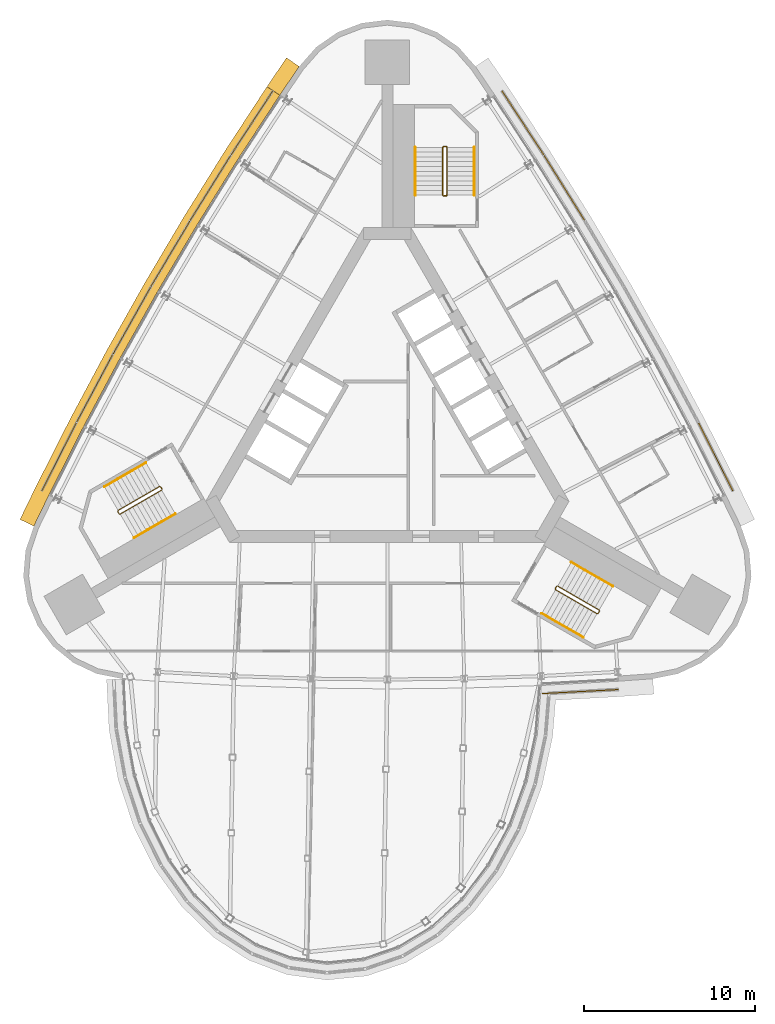
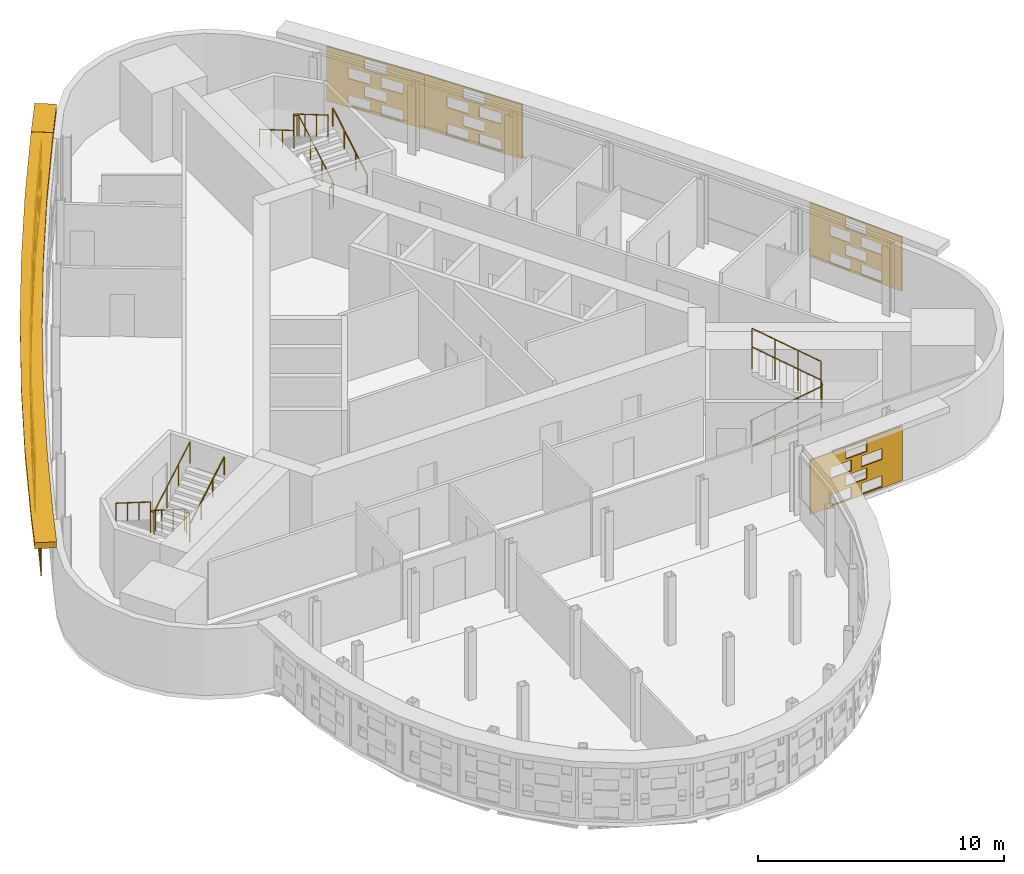
# One storey, part 13 of 14: 12 shading devices, 9 railings.
"""IFC4 building model written with IfcOpenShell, lengths in metres."""

from ifc_helpers import new_model, si_unit, direction, frame, origin, origin_2d, place, context, subcontext, project, spatial, polyline, circle, outline, extrude, material, material_profile, profile_set, type_object, element, save


model = new_model("IFC4")

# Units and contexts
model_context = context("Model", 3, precision=1e-05, world=origin(), true_north=direction((0.0, 1.0)))
body_context = subcontext(model_context, "Body", "Model", "MODEL_VIEW")
ifc_project = project(units=[si_unit("LENGTHUNIT", "METRE"), si_unit("AREAUNIT", "SQUARE_METRE"), si_unit("VOLUMEUNIT", "CUBIC_METRE"), si_unit("PLANEANGLEUNIT", "RADIAN"), si_unit("MASSUNIT", "GRAM", prefix="KILO")], contexts=[model_context])

# Site, building, storey
site_placement = place(None, origin())
site = spatial("IfcSite", under=ifc_project, at=site_placement, CompositionType="ELEMENT")
building_placement = place(site_placement, origin())
building = spatial("IfcBuilding", under=site, at=building_placement, Name="Noor Cloister Tower", CompositionType="ELEMENT")
storey_placement = place(building_placement, frame((0.0, 0.0, 222.0)))
storey = spatial("IfcBuildingStorey", under=building, at=storey_placement, Name="L57", CompositionType="ELEMENT", Elevation=222.0)

# Shading devices
ifc_material_1 = material(Name="Limestone", Category="masonry")
ifc_material_profile = material_profile(ifc_material_1, outline(polyline([(-2.22998046875, -1.35009765625), (2.22998046875, -1.35009765625), (2.22998046875, 1.35009765625), (-2.22998046875, 1.35009765625), (-2.22998046875, -1.35009765625)]), holes=[polyline([(-1.25, -1.282470703125), (-0.25, -1.282470703125), (-0.25, -0.742431640625), (-1.25, -0.742431640625), (-1.25, -1.282470703125)]), polyline([(0.25, -1.282470703125), (1.25, -1.282470703125), (1.25, -0.742431640625), (0.25, -0.742431640625), (0.25, -1.282470703125)]), polyline([(-0.5, -0.607421875), (0.5, -0.607421875), (0.5, -0.0673828125), (-0.5, -0.0673828125), (-0.5, -0.607421875)]), polyline([(-1.25, 0.0673828125), (-0.25, 0.0673828125), (-0.25, 0.607421875), (-1.25, 0.607421875), (-1.25, 0.0673828125)]), polyline([(0.25, 0.0673828125), (1.25, 0.0673828125), (1.25, 0.607421875), (0.25, 0.607421875), (0.25, 0.0673828125)]), polyline([(-0.5, 0.742431640625), (0.5, 0.742431640625), (0.5, 1.282470703125), (-0.5, 1.282470703125), (-0.5, 0.742431640625)])]), Name="Woven screen 35 percent open")
ifc_profile_set = profile_set([ifc_material_profile], Name="Limestone")
shading_device_type_1 = type_object("IfcShadingDeviceType", Name="SCREEN woven limestone 35 percent open", PredefinedType="USERDEFINED", material=ifc_profile_set)
shading_device_1_placement = place(storey_placement, frame((-7.889892578125, 17.56689453125, 1.85009765625), z_axis=(-0.837041537521, 0.547139346477, 0.0), x_axis=(-0.547139346477, -0.837041537521, 0.0)))
element("IfcShadingDevice", 1, at=shading_device_1_placement, inside=storey, type_object=shading_device_type_1, Name="SCREEN L57 1", ObjectType="SCREEN", PredefinedType="USERDEFINED", context=body_context, shape_type="SweptSolid", body=[
    extrude(outline(polyline([(-2.22998046875, -1.35009765625), (2.22998046875, -1.35009765625), (2.22998046875, 1.35009765625), (-2.22998046875, 1.35009765625), (-2.22998046875, -1.35009765625)]), holes=[polyline([(-1.25, -1.282470703125), (-0.25, -1.282470703125), (-0.25, -0.742431640625), (-1.25, -0.742431640625), (-1.25, -1.282470703125)]), polyline([(0.25, -1.282470703125), (1.25, -1.282470703125), (1.25, -0.742431640625), (0.25, -0.742431640625), (0.25, -1.282470703125)]), polyline([(-0.5, -0.607421875), (0.5, -0.607421875), (0.5, -0.0673828125), (-0.5, -0.0673828125), (-0.5, -0.607421875)]), polyline([(-1.25, 0.0673828125), (-0.25, 0.0673828125), (-0.25, 0.607421875), (-1.25, 0.607421875), (-1.25, 0.0673828125)]), polyline([(0.25, 0.0673828125), (1.25, 0.0673828125), (1.25, 0.607421875), (0.25, 0.607421875), (0.25, 0.0673828125)]), polyline([(-0.5, 0.742431640625), (0.5, 0.742431640625), (0.5, 1.282470703125), (-0.5, 1.282470703125), (-0.5, 0.742431640625)])]), origin(), (0.0, 0.0, 1.0), 0.059814453125),
])
for number, where, z_axis, x_axis, name in (
    (2, (-10.315185546875, 13.76513671875, 1.85009765625), (-0.849137590634, 0.528171707093, 0.0), (-0.528171707093, -0.849137590634, 0.0), "SCREEN L57 2"),
    (3, (-12.656005859375, 9.910400390625, 1.85009765625), (-0.858568146325, 0.512699461786, 0.0), (-0.512699461786, -0.858568146325, 0.0), "SCREEN L57 3"),
):
    element("IfcShadingDevice", number, at=place(storey_placement, frame(where, z_axis=z_axis, x_axis=x_axis)), inside=storey, type_object=shading_device_type_1, Name=name, ObjectType="SCREEN", PredefinedType="USERDEFINED", context=body_context, shape_type="SweptSolid", body=[
        extrude(outline(polyline([(-2.22998046875, -1.35009765625), (2.22998046875, -1.35009765625), (2.22998046875, 1.35009765625), (-2.22998046875, 1.35009765625), (-2.22998046875, -1.35009765625)]), holes=[polyline([(-1.25, -1.282470703125), (-0.25, -1.282470703125), (-0.25, -0.742431640625), (-1.25, -0.742431640625), (-1.25, -1.282470703125)]), polyline([(0.25, -1.282470703125), (1.25, -1.282470703125), (1.25, -0.742431640625), (0.25, -0.742431640625), (0.25, -1.282470703125)]), polyline([(-0.5, -0.607421875), (0.5, -0.607421875), (0.5, -0.0673828125), (-0.5, -0.0673828125), (-0.5, -0.607421875)]), polyline([(-1.25, 0.0673828125), (-0.25, 0.0673828125), (-0.25, 0.607421875), (-1.25, 0.607421875), (-1.25, 0.0673828125)]), polyline([(0.25, 0.0673828125), (1.25, 0.0673828125), (1.25, 0.607421875), (0.25, 0.607421875), (0.25, 0.0673828125)]), polyline([(-0.5, 0.742431640625), (0.5, 0.742431640625), (0.5, 1.282470703125), (-0.5, 1.282470703125), (-0.5, 0.742431640625)])]), origin(), (0.0, 0.0, 1.0), 0.06005859375),
    ])
for number, where, z_axis, x_axis, name in (
    (4, (-14.91064453125, 6.005126953125, 1.85009765625), (-0.872227864306, 0.489099736994, 0.0), (-0.489099736994, -0.872227864306, 0.0), "SCREEN L57 4"),
    (5, (-17.07861328125, 2.05078125, 1.85009765625), (-0.882692078165, 0.469951800875, 0.0), (-0.469951800875, -0.882692078165, 0.0), "SCREEN L57 5"),
):
    element("IfcShadingDevice", number, at=place(storey_placement, frame(where, z_axis=z_axis, x_axis=x_axis)), inside=storey, type_object=shading_device_type_1, Name=name, ObjectType="SCREEN", PredefinedType="USERDEFINED", context=body_context, shape_type="SweptSolid", body=[
        extrude(outline(polyline([(-2.22998046875, -1.35009765625), (2.22998046875, -1.35009765625), (2.22998046875, 1.35009765625), (-2.22998046875, 1.35009765625), (-2.22998046875, -1.35009765625)]), holes=[polyline([(-1.25, -1.282470703125), (-0.25, -1.282470703125), (-0.25, -0.742431640625), (-1.25, -0.742431640625), (-1.25, -1.282470703125)]), polyline([(0.25, -1.282470703125), (1.25, -1.282470703125), (1.25, -0.742431640625), (0.25, -0.742431640625), (0.25, -1.282470703125)]), polyline([(-0.5, -0.607421875), (0.5, -0.607421875), (0.5, -0.0673828125), (-0.5, -0.0673828125), (-0.5, -0.607421875)]), polyline([(-1.25, 0.0673828125), (-0.25, 0.0673828125), (-0.25, 0.607421875), (-1.25, 0.607421875), (-1.25, 0.0673828125)]), polyline([(0.25, 0.0673828125), (1.25, 0.0673828125), (1.25, 0.607421875), (0.25, 0.607421875), (0.25, 0.0673828125)]), polyline([(-0.5, 0.742431640625), (0.5, 0.742431640625), (0.5, 1.282470703125), (-0.5, 1.282470703125), (-0.5, 0.742431640625)])]), origin(), (0.0, 0.0, 1.0), 0.059814453125),
    ])
shading_device_2_placement = place(storey_placement, frame((-19.158203125, -1.95068359375, 1.85009765625), z_axis=(-0.89279802979, 0.450457187758, 0.0), x_axis=(-0.450457187758, -0.89279802979, 0.0)))
element("IfcShadingDevice", 6, at=shading_device_2_placement, inside=storey, type_object=shading_device_type_1, Name="SCREEN L57 6", ObjectType="SCREEN", PredefinedType="USERDEFINED", context=body_context, shape_type="SweptSolid", body=[
    extrude(outline(polyline([(-2.22998046875, -1.35009765625), (2.22998046875, -1.35009765625), (2.22998046875, 1.35009765625), (-2.22998046875, 1.35009765625), (-2.22998046875, -1.35009765625)]), holes=[polyline([(-1.25, -1.282470703125), (-0.25, -1.282470703125), (-0.25, -0.742431640625), (-1.25, -0.742431640625), (-1.25, -1.282470703125)]), polyline([(0.25, -1.282470703125), (1.25, -1.282470703125), (1.25, -0.742431640625), (0.25, -0.742431640625), (0.25, -1.282470703125)]), polyline([(-0.5, -0.607421875), (0.5, -0.607421875), (0.5, -0.0673828125), (-0.5, -0.0673828125), (-0.5, -0.607421875)]), polyline([(-1.25, 0.0673828125), (-0.25, 0.0673828125), (-0.25, 0.607421875), (-1.25, 0.607421875), (-1.25, 0.0673828125)]), polyline([(0.25, 0.0673828125), (1.25, 0.0673828125), (1.25, 0.607421875), (0.25, 0.607421875), (0.25, 0.0673828125)]), polyline([(-0.5, 0.742431640625), (0.5, 0.742431640625), (0.5, 1.282470703125), (-0.5, 1.282470703125), (-0.5, 0.742431640625)])]), origin(), (0.0, 0.0, 1.0), 0.06005859375),
])
shading_device_3_placement = place(storey_placement, frame((11.2685546875, -15.6162109375, 1.85009765625), z_axis=(0.052986685084, -0.998595218897, 0.0), x_axis=(0.998595218897, 0.052986685084, 0.0)))
element("IfcShadingDevice", 7, at=shading_device_3_placement, inside=storey, type_object=shading_device_type_1, Name="SCREEN L57 19", ObjectType="SCREEN", PredefinedType="USERDEFINED", context=body_context, shape_type="SweptSolid", body=[
    extrude(outline(polyline([(-2.22998046875, -1.35009765625), (2.22998046875, -1.35009765625), (2.22998046875, 1.35009765625), (-2.22998046875, 1.35009765625), (-2.22998046875, -1.35009765625)]), holes=[polyline([(-1.25, -1.282470703125), (-0.25, -1.282470703125), (-0.25, -0.742431640625), (-1.25, -0.742431640625), (-1.25, -1.282470703125)]), polyline([(0.25, -1.282470703125), (1.25, -1.282470703125), (1.25, -0.742431640625), (0.25, -0.742431640625), (0.25, -1.282470703125)]), polyline([(-0.5, -0.607421875), (0.5, -0.607421875), (0.5, -0.0673828125), (-0.5, -0.0673828125), (-0.5, -0.607421875)]), polyline([(-1.25, 0.0673828125), (-0.25, 0.0673828125), (-0.25, 0.607421875), (-1.25, 0.607421875), (-1.25, 0.0673828125)]), polyline([(0.25, 0.0673828125), (1.25, 0.0673828125), (1.25, 0.607421875), (0.25, 0.607421875), (0.25, 0.0673828125)]), polyline([(-0.5, 0.742431640625), (0.5, 0.742431640625), (0.5, 1.282470703125), (-0.5, 1.282470703125), (-0.5, 0.742431640625)])]), origin(), (0.0, 0.0, 1.0), 0.059814453125),
])
for number, where, z_axis, x_axis, name in (
    (8, (19.158203125, -1.95068359375, 1.85009765625), (0.89279802979, 0.450457187758, 0.0), (-0.450457187758, 0.89279802979, 0.0), "SCREEN L57 1"),
    (9, (10.315185546875, 13.76513671875, 1.85009765625), (0.849137590634, 0.528171707093, 0.0), (-0.528171707093, 0.849137590634, 0.0), "SCREEN L57 5"),
):
    element("IfcShadingDevice", number, at=place(storey_placement, frame(where, z_axis=z_axis, x_axis=x_axis)), inside=storey, type_object=shading_device_type_1, Name=name, ObjectType="SCREEN", PredefinedType="USERDEFINED", context=body_context, shape_type="SweptSolid", body=[
        extrude(outline(polyline([(-2.22998046875, -1.35009765625), (2.22998046875, -1.35009765625), (2.22998046875, 1.35009765625), (-2.22998046875, 1.35009765625), (-2.22998046875, -1.35009765625)]), holes=[polyline([(-1.25, -1.282470703125), (-0.25, -1.282470703125), (-0.25, -0.742431640625), (-1.25, -0.742431640625), (-1.25, -1.282470703125)]), polyline([(0.25, -1.282470703125), (1.25, -1.282470703125), (1.25, -0.742431640625), (0.25, -0.742431640625), (0.25, -1.282470703125)]), polyline([(-0.5, -0.607421875), (0.5, -0.607421875), (0.5, -0.0673828125), (-0.5, -0.0673828125), (-0.5, -0.607421875)]), polyline([(-1.25, 0.0673828125), (-0.25, 0.0673828125), (-0.25, 0.607421875), (-1.25, 0.607421875), (-1.25, 0.0673828125)]), polyline([(0.25, 0.0673828125), (1.25, 0.0673828125), (1.25, 0.607421875), (0.25, 0.607421875), (0.25, 0.0673828125)]), polyline([(-0.5, 0.742431640625), (0.5, 0.742431640625), (0.5, 1.282470703125), (-0.5, 1.282470703125), (-0.5, 0.742431640625)])]), origin(), (0.0, 0.0, 1.0), 0.06005859375),
    ])
shading_device_4_placement = place(storey_placement, frame((7.889892578125, 17.56689453125, 1.85009765625), z_axis=(0.837041537521, 0.547139346477, 0.0), x_axis=(-0.547139346477, 0.837041537521, 0.0)))
element("IfcShadingDevice", 10, at=shading_device_4_placement, inside=storey, type_object=shading_device_type_1, Name="SCREEN L57 6", ObjectType="SCREEN", PredefinedType="USERDEFINED", context=body_context, shape_type="SweptSolid", body=[
    extrude(outline(polyline([(-2.22998046875, -1.35009765625), (2.22998046875, -1.35009765625), (2.22998046875, 1.35009765625), (-2.22998046875, 1.35009765625), (-2.22998046875, -1.35009765625)]), holes=[polyline([(-1.25, -1.282470703125), (-0.25, -1.282470703125), (-0.25, -0.742431640625), (-1.25, -0.742431640625), (-1.25, -1.282470703125)]), polyline([(0.25, -1.282470703125), (1.25, -1.282470703125), (1.25, -0.742431640625), (0.25, -0.742431640625), (0.25, -1.282470703125)]), polyline([(-0.5, -0.607421875), (0.5, -0.607421875), (0.5, -0.0673828125), (-0.5, -0.0673828125), (-0.5, -0.607421875)]), polyline([(-1.25, 0.0673828125), (-0.25, 0.0673828125), (-0.25, 0.607421875), (-1.25, 0.607421875), (-1.25, 0.0673828125)]), polyline([(0.25, 0.0673828125), (1.25, 0.0673828125), (1.25, 0.607421875), (0.25, 0.607421875), (0.25, 0.0673828125)]), polyline([(-0.5, 0.742431640625), (0.5, 0.742431640625), (0.5, 1.282470703125), (-0.5, 1.282470703125), (-0.5, 0.742431640625)])]), origin(), (0.0, 0.0, 1.0), 0.059814453125),
])
ifc_material_2 = material(Name="Limestone", Category="masonry")
shading_device_type_2 = type_object("IfcShadingDeviceType", Name="SUNSHADE limestone band 900", PredefinedType="USERDEFINED", material=ifc_material_2)
shading_device_5_placement = place(storey_placement, frame((0.0, 0.0, 3.300048828125)))
element("IfcShadingDevice", 11, at=shading_device_5_placement, inside=storey, type_object=shading_device_type_2, Name="SUNSHADE L57 1", ObjectType="SUNSHADE", PredefinedType="USERDEFINED", context=body_context, shape_type="SweptSolid", body=[
    extrude(outline(polyline([(-7.035400390625, 19.6962890625), (-9.5029296875, 15.92138671875), (-11.8916015625, 12.084228515625), (-14.194580078125, 8.1953125), (-16.4111328125, 4.256103515625), (-18.539794921875, 0.26904296875), (-20.57861328125, -3.76171875), (-21.46533203125, -5.587158203125), (-20.65576171875, -5.98046875), (-19.772216796875, -4.16162109375), (-17.7412109375, -0.14599609375), (-15.621826171875, 3.823486328125), (-13.415283203125, 7.745361328125), (-11.122314453125, 11.6171875), (-8.744140625, 15.437255859375), (-6.2822265625, 19.2041015625), (-7.035400390625, 19.6962890625)])), origin(), (0.0, 0.0, 1.0), 0.300048828125),
])
shading_device_6_placement = place(storey_placement, frame((0.0, 0.0, 3.300048828125)))
element("IfcShadingDevice", 12, at=shading_device_6_placement, inside=storey, type_object=shading_device_type_2, Name="SUNSHADE L57 4", ObjectType="SUNSHADE", PredefinedType="USERDEFINED", context=body_context, shape_type="SweptSolid", body=[
    extrude(outline(polyline([(-5.89404296875, 21.38330078125), (-7.02734375, 19.70849609375), (-6.2822265625, 19.2041015625), (-5.148681640625, 20.87890625), (-5.89404296875, 21.38330078125)])), origin(), (0.0, 0.0, 1.0), 0.300048828125),
])

# Railings
ifc_material_3 = material(Name="Stainless steel", Category="steel")
railing_type_1 = type_object("IfcRailingType", Name="Stair guard 1100", PredefinedType="GUARDRAIL", material=ifc_material_3)
railing_1_placement = place(storey_placement, frame((3.435546875, 13.306396484375, 0.0)))
element("IfcRailing", 13, at=railing_1_placement, inside=storey, type_object=railing_type_1, Name="Stair guard ST1 L57", PredefinedType="GUARDRAIL", context=body_context, shape_type="SweptSolid", body=[
    extrude(circle(Radius=0.02392578125, at=origin_2d()), frame((0.0, 0.0, 1.076171875), z_axis=(-1.0, 0.0, 0.0), x_axis=(0.0, -1.0, 0.0)), (0.0, 0.0, 1.0), 0.14990234375),
    extrude(circle(Radius=0.02392578125, at=origin_2d()), frame((-0.14990234375, 0.0, 1.076171875), z_axis=(0.759870394187, 0.190199549216, 0.621627795), x_axis=(-0.242814311512, 0.970072785993, 0.0)), (0.0, 0.0, 1.0), 0.26318359375),
    extrude(circle(Radius=0.02392578125, at=origin_2d()), frame((0.050048828125, 0.050048828125, 1.23974609375), z_axis=(0.0, 0.863360870873, 0.504586966384), x_axis=(-1.0, 0.0, 0.0)), (0.0, 0.0, 1.0), 3.2431640625),
    extrude(circle(Radius=0.02392578125, at=origin_2d()), frame((0.050048828125, 2.85009765625, 2.8759765625), z_axis=(-0.708833529934, 0.705375805398, 0.0), x_axis=(-0.705375805398, -0.708833529934, 0.0)), (0.0, 0.0, 1.0), 0.070556640625),
    extrude(circle(Radius=0.02392578125, at=origin_2d()), frame((0.0, 2.89990234375, 2.8759765625), z_axis=(-1.0, 0.0, 0.0), x_axis=(0.0, -1.0, 0.0)), (0.0, 0.0, 1.0), 0.14990234375),
    extrude(circle(Radius=0.02392578125, at=origin_2d()), frame((-0.14990234375, 2.89990234375, 2.8759765625), z_axis=(-0.280916556609, -0.279546231943, 0.91811752648), x_axis=(0.705375805398, -0.708833529934, 0.0)), (0.0, 0.0, 1.0), 0.17822265625),
    extrude(circle(Radius=0.02392578125, at=origin_2d()), frame((-0.199951171875, 2.85009765625, 3.03955078125), z_axis=(0.0, -0.863360870873, 0.504586966384), x_axis=(1.0, 0.0, 0.0)), (0.0, 0.0, 1.0), 3.2431640625),
    extrude(circle(Radius=0.02099609375, at=origin_2d()), origin(), (0.0, 0.0, 1.0), 1.052001953125),
    extrude(circle(Radius=0.02099609375, at=origin_2d()), frame((-0.14990234375, 0.0, 0.0)), (0.0, 0.0, 1.0), 1.052001953125),
    extrude(circle(Radius=0.02099609375, at=origin_2d()), frame((0.050048828125, 0.050048828125, 0.16357421875)), (0.0, 0.0, 1.0), 1.052001953125),
    extrude(circle(Radius=0.02099609375, at=origin_2d()), frame((0.050048828125, 0.9833984375, 0.708984375)), (0.0, 0.0, 1.0), 1.052001953125),
    extrude(circle(Radius=0.02099609375, at=origin_2d()), frame((0.050048828125, 1.916748046875, 1.254638671875)), (0.0, 0.0, 1.0), 1.052001953125),
    extrude(circle(Radius=0.02099609375, at=origin_2d()), frame((0.050048828125, 2.85009765625, 1.800048828125)), (0.0, 0.0, 1.0), 1.052001953125),
    extrude(circle(Radius=0.02099609375, at=origin_2d()), frame((0.0, 2.89990234375, 1.800048828125)), (0.0, 0.0, 1.0), 1.052001953125),
    extrude(circle(Radius=0.02099609375, at=origin_2d()), frame((-0.14990234375, 2.89990234375, 1.800048828125)), (0.0, 0.0, 1.0), 1.052001953125),
    extrude(circle(Radius=0.02099609375, at=origin_2d()), frame((-0.199951171875, 2.85009765625, 1.963623046875)), (0.0, 0.0, 1.0), 1.052001953125),
    extrude(circle(Radius=0.02099609375, at=origin_2d()), frame((-0.199951171875, 1.916748046875, 2.509033203125)), (0.0, 0.0, 1.0), 1.052001953125),
    extrude(circle(Radius=0.02099609375, at=origin_2d()), frame((-0.199951171875, 0.9833984375, 3.0546875)), (0.0, 0.0, 1.0), 1.052001953125),
    extrude(circle(Radius=0.02099609375, at=origin_2d()), frame((-0.199951171875, 0.050048828125, 3.60009765625)), (0.0, 0.0, 1.0), 1.052001953125),
])
railing_2_placement = place(storey_placement, frame((-13.241455078125, -3.677734375, 0.0)))
element("IfcRailing", 14, at=railing_2_placement, inside=storey, type_object=railing_type_1, Name="Stair guard ST2 L57", PredefinedType="GUARDRAIL", context=body_context, shape_type="SweptSolid", body=[
    extrude(circle(Radius=0.02392578125, at=origin_2d()), frame((0.0, 0.0, 1.076171875), z_axis=(0.499112439033, -0.866537231285, 0.0), x_axis=(0.866537231285, 0.499112439033, 0.0)), (0.0, 0.0, 1.0), 0.150146484375),
    extrude(circle(Radius=0.02392578125, at=origin_2d()), frame((0.074951171875, -0.130126953125, 1.076171875), z_axis=(-0.544565797804, 0.563119998752, 0.621565731736), x_axis=(-0.718850276695, -0.695164929852, 0.0)), (0.0, 0.0, 1.0), 0.26318359375),
    extrude(circle(Radius=0.02392578125, at=origin_2d()), frame((-0.068359375, 0.01806640625, 1.23974609375), z_axis=(-0.747689811644, -0.431660630283, 0.504607813879), x_axis=(0.49998411664, -0.866034573852, 0.0)), (0.0, 0.0, 1.0), 3.2431640625),
    extrude(circle(Radius=0.02392578125, at=origin_2d()), frame((-2.4931640625, -1.3818359375, 2.8759765625), z_axis=(-0.258736085224, -0.965948051503, 0.0), x_axis=(0.965948051503, -0.258736085224, 0.0)), (0.0, 0.0, 1.0), 0.07080078125),
    extrude(circle(Radius=0.02392578125, at=origin_2d()), frame((-2.511474609375, -1.4501953125, 2.8759765625), z_axis=(0.499816412211, -0.866131372301, 0.0), x_axis=(0.866131372301, 0.499816412211, 0.0)), (0.0, 0.0, 1.0), 0.14990234375),
    extrude(circle(Radius=0.02392578125, at=origin_2d()), frame((-2.4365234375, -1.580078125, 2.8759765625), z_axis=(0.383552647116, -0.102737316192, 0.917786691313), x_axis=(0.258736085224, 0.965948051503, 0.0)), (0.0, 0.0, 1.0), 0.17822265625),
    extrude(circle(Radius=0.02392578125, at=origin_2d()), frame((-2.3681640625, -1.598388671875, 3.03955078125), z_axis=(0.747665513933, 0.431721881032, 0.504591415616), x_axis=(-0.500049511043, 0.865996816683, 0.0)), (0.0, 0.0, 1.0), 3.2431640625),
    extrude(circle(Radius=0.02099609375, at=origin_2d()), origin(), (0.0, 0.0, 1.0), 1.052001953125),
    extrude(circle(Radius=0.02099609375, at=origin_2d()), frame((0.074951171875, -0.130126953125, 0.0)), (0.0, 0.0, 1.0), 1.052001953125),
    extrude(circle(Radius=0.02099609375, at=origin_2d()), frame((-0.068359375, 0.01806640625, 0.16357421875)), (0.0, 0.0, 1.0), 1.052001953125),
    extrude(circle(Radius=0.02099609375, at=origin_2d()), frame((-0.876708984375, -0.448486328125, 0.708984375)), (0.0, 0.0, 1.0), 1.052001953125),
    extrude(circle(Radius=0.02099609375, at=origin_2d()), frame((-1.684814453125, -0.915283203125, 1.254638671875)), (0.0, 0.0, 1.0), 1.052001953125),
    extrude(circle(Radius=0.02099609375, at=origin_2d()), frame((-2.4931640625, -1.3818359375, 1.800048828125)), (0.0, 0.0, 1.0), 1.052001953125),
    extrude(circle(Radius=0.02099609375, at=origin_2d()), frame((-2.511474609375, -1.4501953125, 1.800048828125)), (0.0, 0.0, 1.0), 1.052001953125),
    extrude(circle(Radius=0.02099609375, at=origin_2d()), frame((-2.4365234375, -1.580078125, 1.800048828125)), (0.0, 0.0, 1.0), 1.052001953125),
    extrude(circle(Radius=0.02099609375, at=origin_2d()), frame((-2.3681640625, -1.598388671875, 1.963623046875)), (0.0, 0.0, 1.0), 1.052001953125),
    extrude(circle(Radius=0.02099609375, at=origin_2d()), frame((-1.559814453125, -1.131591796875, 2.509033203125)), (0.0, 0.0, 1.0), 1.052001953125),
    extrude(circle(Radius=0.02099609375, at=origin_2d()), frame((-0.751708984375, -0.6650390625, 3.0546875)), (0.0, 0.0, 1.0), 1.052001953125),
    extrude(circle(Radius=0.02099609375, at=origin_2d()), frame((0.056640625, -0.1982421875, 3.60009765625)), (0.0, 0.0, 1.0), 1.052001953125),
])
railing_3_placement = place(storey_placement, frame((9.805908203125, -9.628662109375, 0.0)))
element("IfcRailing", 15, at=railing_3_placement, inside=storey, type_object=railing_type_1, Name="Stair guard ST3 L57", PredefinedType="GUARDRAIL", context=body_context, shape_type="SweptSolid", body=[
    extrude(circle(Radius=0.02392578125, at=origin_2d()), frame((0.0, 0.0, 1.076171875), z_axis=(0.499112439033, 0.866537231285, 0.0), x_axis=(-0.866537231285, 0.499112439033, 0.0)), (0.0, 0.0, 1.0), 0.150146484375),
    extrude(circle(Radius=0.02392578125, at=origin_2d()), frame((0.074951171875, 0.130126953125, 1.076171875), z_axis=(-0.215214839654, -0.753251938789, 0.621525614518), x_axis=(0.961523947641, -0.274721127897, 0.0)), (0.0, 0.0, 1.0), 0.26318359375),
    extrude(circle(Radius=0.02392578125, at=origin_2d()), frame((0.018310546875, -0.068115234375, 1.23974609375), z_axis=(0.747665513933, -0.431721881032, 0.504591415616), x_axis=(0.500049511043, 0.865996816683, 0.0)), (0.0, 0.0, 1.0), 3.2431640625),
    extrude(circle(Radius=0.02392578125, at=origin_2d()), frame((2.443115234375, -1.46826171875, 2.8759765625), z_axis=(0.965948051503, 0.258736085224, 0.0), x_axis=(-0.258736085224, 0.965948051503, 0.0)), (0.0, 0.0, 1.0), 0.07080078125),
    extrude(circle(Radius=0.02392578125, at=origin_2d()), frame((2.511474609375, -1.449951171875, 2.8759765625), z_axis=(0.499816412211, 0.866131372301, 0.0), x_axis=(-0.866131372301, 0.499816412211, 0.0)), (0.0, 0.0, 1.0), 0.14990234375),
    extrude(circle(Radius=0.02392578125, at=origin_2d()), frame((2.58642578125, -1.320068359375, 2.8759765625), z_axis=(-0.102737316192, 0.383552647116, 0.917786691313), x_axis=(-0.965948051503, -0.258736085224, 0.0)), (0.0, 0.0, 1.0), 0.17822265625),
    extrude(circle(Radius=0.02392578125, at=origin_2d()), frame((2.568115234375, -1.251708984375, 3.03955078125), z_axis=(-0.747689811644, 0.431660630283, 0.504607813879), x_axis=(-0.49998411664, -0.866034573852, 0.0)), (0.0, 0.0, 1.0), 3.2431640625),
    extrude(circle(Radius=0.02099609375, at=origin_2d()), origin(), (0.0, 0.0, 1.0), 1.052001953125),
    extrude(circle(Radius=0.02099609375, at=origin_2d()), frame((0.074951171875, 0.130126953125, 0.0)), (0.0, 0.0, 1.0), 1.052001953125),
    extrude(circle(Radius=0.02099609375, at=origin_2d()), frame((0.018310546875, -0.068115234375, 0.16357421875)), (0.0, 0.0, 1.0), 1.052001953125),
    extrude(circle(Radius=0.02099609375, at=origin_2d()), frame((0.82666015625, -0.534912109375, 0.708984375)), (0.0, 0.0, 1.0), 1.052001953125),
    extrude(circle(Radius=0.02099609375, at=origin_2d()), frame((1.634765625, -1.00146484375, 1.254638671875)), (0.0, 0.0, 1.0), 1.052001953125),
    extrude(circle(Radius=0.02099609375, at=origin_2d()), frame((2.443115234375, -1.46826171875, 1.800048828125)), (0.0, 0.0, 1.0), 1.052001953125),
    extrude(circle(Radius=0.02099609375, at=origin_2d()), frame((2.511474609375, -1.449951171875, 1.800048828125)), (0.0, 0.0, 1.0), 1.052001953125),
    extrude(circle(Radius=0.02099609375, at=origin_2d()), frame((2.58642578125, -1.320068359375, 1.800048828125)), (0.0, 0.0, 1.0), 1.052001953125),
    extrude(circle(Radius=0.02099609375, at=origin_2d()), frame((2.568115234375, -1.251708984375, 1.963623046875)), (0.0, 0.0, 1.0), 1.052001953125),
    extrude(circle(Radius=0.02099609375, at=origin_2d()), frame((1.759765625, -0.78515625, 2.509033203125)), (0.0, 0.0, 1.0), 1.052001953125),
    extrude(circle(Radius=0.02099609375, at=origin_2d()), frame((0.95166015625, -0.318359375, 3.0546875)), (0.0, 0.0, 1.0), 1.052001953125),
    extrude(circle(Radius=0.02099609375, at=origin_2d()), frame((0.143310546875, 0.148193359375, 3.60009765625)), (0.0, 0.0, 1.0), 1.052001953125),
])
ifc_material_4 = material(Name="Stainless steel", Category="steel")
railing_type_2 = type_object("IfcRailingType", Name="Stair handrail 900", PredefinedType="HANDRAIL", material=ifc_material_4)
railing_4_placement = place(storey_placement, frame((5.085693359375, 13.3564453125, 0.16357421875)))
element("IfcRailing", 16, at=railing_4_placement, inside=storey, type_object=railing_type_2, Name="Stair handrail ST1 L57 1", PredefinedType="HANDRAIL", context=body_context, shape_type="SweptSolid", body=[
    extrude(circle(Radius=0.02392578125, at=origin_2d()), frame((0.0, 0.0, 0.8759765625), z_axis=(0.0, 0.863360870873, 0.504586966384), x_axis=(-1.0, 0.0, 0.0)), (0.0, 0.0, 1.0), 3.2431640625),
    extrude(circle(Radius=0.02099609375, at=origin_2d()), origin(), (0.0, 0.0, 1.0), 0.851806640625),
    extrude(circle(Radius=0.02099609375, at=origin_2d()), frame((0.0, 0.933349609375, 0.54541015625)), (0.0, 0.0, 1.0), 0.851806640625),
    extrude(circle(Radius=0.02099609375, at=origin_2d()), frame((0.0, 1.86669921875, 1.091064453125)), (0.0, 0.0, 1.0), 0.851806640625),
    extrude(circle(Radius=0.02099609375, at=origin_2d()), frame((0.0, 2.800048828125, 1.636474609375)), (0.0, 0.0, 1.0), 0.851806640625),
])
railing_5_placement = place(storey_placement, frame((1.6357421875, 16.156494140625, 1.963623046875)))
element("IfcRailing", 17, at=railing_5_placement, inside=storey, type_object=railing_type_2, Name="Stair handrail ST1 L57 2", PredefinedType="HANDRAIL", context=body_context, shape_type="SweptSolid", body=[
    extrude(circle(Radius=0.02392578125, at=origin_2d()), frame((0.0, 0.0, 0.8759765625), z_axis=(0.0, -0.863360870873, 0.504586966384), x_axis=(1.0, 0.0, 0.0)), (0.0, 0.0, 1.0), 3.2431640625),
    extrude(circle(Radius=0.02099609375, at=origin_2d()), origin(), (0.0, 0.0, 1.0), 0.851806640625),
    extrude(circle(Radius=0.02099609375, at=origin_2d()), frame((0.0, -0.933349609375, 0.54541015625)), (0.0, 0.0, 1.0), 0.851806640625),
    extrude(circle(Radius=0.02099609375, at=origin_2d()), frame((0.0, -1.86669921875, 1.091064453125)), (0.0, 0.0, 1.0), 0.851806640625),
    extrude(circle(Radius=0.02099609375, at=origin_2d()), frame((0.0, -2.800048828125, 1.636474609375)), (0.0, 0.0, 1.0), 0.851806640625),
])
railing_6_placement = place(storey_placement, frame((-14.10986328125, -2.27392578125, 0.16357421875)))
element("IfcRailing", 18, at=railing_6_placement, inside=storey, type_object=railing_type_2, Name="Stair handrail ST2 L57 1", PredefinedType="HANDRAIL", context=body_context, shape_type="SweptSolid", body=[
    extrude(circle(Radius=0.02392578125, at=origin_2d()), frame((0.0, 0.0, 0.8759765625), z_axis=(-0.747689811644, -0.431660630283, 0.504607813879), x_axis=(0.49998411664, -0.866034573852, 0.0)), (0.0, 0.0, 1.0), 3.2431640625),
    extrude(circle(Radius=0.02099609375, at=origin_2d()), origin(), (0.0, 0.0, 1.0), 0.851806640625),
    extrude(circle(Radius=0.02099609375, at=origin_2d()), frame((-0.808349609375, -0.466552734375, 0.54541015625)), (0.0, 0.0, 1.0), 0.851806640625),
    extrude(circle(Radius=0.02099609375, at=origin_2d()), frame((-1.616455078125, -0.933349609375, 1.091064453125)), (0.0, 0.0, 1.0), 0.851806640625),
    extrude(circle(Radius=0.02099609375, at=origin_2d()), frame((-2.4248046875, -1.39990234375, 1.636474609375)), (0.0, 0.0, 1.0), 0.851806640625),
])
railing_7_placement = place(storey_placement, frame((-14.8095703125, -6.66162109375, 1.963623046875)))
element("IfcRailing", 19, at=railing_7_placement, inside=storey, type_object=railing_type_2, Name="Stair handrail ST2 L57 2", PredefinedType="HANDRAIL", context=body_context, shape_type="SweptSolid", body=[
    extrude(circle(Radius=0.02392578125, at=origin_2d()), frame((0.0, 0.0, 0.8759765625), z_axis=(0.747689811644, 0.431660630283, 0.504607813879), x_axis=(-0.49998411664, 0.866034573852, 0.0)), (0.0, 0.0, 1.0), 3.2431640625),
    extrude(circle(Radius=0.02099609375, at=origin_2d()), origin(), (0.0, 0.0, 1.0), 0.851806640625),
    extrude(circle(Radius=0.02099609375, at=origin_2d()), frame((0.808349609375, 0.466552734375, 0.54541015625)), (0.0, 0.0, 1.0), 0.851806640625),
    extrude(circle(Radius=0.02099609375, at=origin_2d()), frame((1.616455078125, 0.933349609375, 1.091064453125)), (0.0, 0.0, 1.0), 0.851806640625),
    extrude(circle(Radius=0.02099609375, at=origin_2d()), frame((2.4248046875, 1.39990234375, 1.636474609375)), (0.0, 0.0, 1.0), 0.851806640625),
])
railing_8_placement = place(storey_placement, frame((9.024169921875, -11.08251953125, 0.16357421875)))
element("IfcRailing", 20, at=railing_8_placement, inside=storey, type_object=railing_type_2, Name="Stair handrail ST3 L57 1", PredefinedType="HANDRAIL", context=body_context, shape_type="SweptSolid", body=[
    extrude(circle(Radius=0.02392578125, at=origin_2d()), frame((0.0, 0.0, 0.8759765625), z_axis=(0.747689811644, -0.431660630283, 0.504607813879), x_axis=(0.49998411664, 0.866034573852, 0.0)), (0.0, 0.0, 1.0), 3.2431640625),
    extrude(circle(Radius=0.02099609375, at=origin_2d()), origin(), (0.0, 0.0, 1.0), 0.851806640625),
    extrude(circle(Radius=0.02099609375, at=origin_2d()), frame((0.808349609375, -0.466552734375, 0.54541015625)), (0.0, 0.0, 1.0), 0.851806640625),
    extrude(circle(Radius=0.02099609375, at=origin_2d()), frame((1.616455078125, -0.933349609375, 1.091064453125)), (0.0, 0.0, 1.0), 0.851806640625),
    extrude(circle(Radius=0.02099609375, at=origin_2d()), frame((2.4248046875, -1.39990234375, 1.636474609375)), (0.0, 0.0, 1.0), 0.851806640625),
])
railing_9_placement = place(storey_placement, frame((13.174072265625, -9.49462890625, 1.963623046875)))
element("IfcRailing", 21, at=railing_9_placement, inside=storey, type_object=railing_type_2, Name="Stair handrail ST3 L57 2", PredefinedType="HANDRAIL", context=body_context, shape_type="SweptSolid", body=[
    extrude(circle(Radius=0.02392578125, at=origin_2d()), frame((0.0, 0.0, 0.8759765625), z_axis=(-0.747689811644, 0.431660630283, 0.504607813879), x_axis=(-0.49998411664, -0.866034573852, 0.0)), (0.0, 0.0, 1.0), 3.2431640625),
    extrude(circle(Radius=0.02099609375, at=origin_2d()), origin(), (0.0, 0.0, 1.0), 0.851806640625),
    extrude(circle(Radius=0.02099609375, at=origin_2d()), frame((-0.808349609375, 0.466552734375, 0.54541015625)), (0.0, 0.0, 1.0), 0.851806640625),
    extrude(circle(Radius=0.02099609375, at=origin_2d()), frame((-1.616455078125, 0.933349609375, 1.091064453125)), (0.0, 0.0, 1.0), 0.851806640625),
    extrude(circle(Radius=0.02099609375, at=origin_2d()), frame((-2.4248046875, 1.39990234375, 1.636474609375)), (0.0, 0.0, 1.0), 0.851806640625),
])

save(model, "model.ifc")
